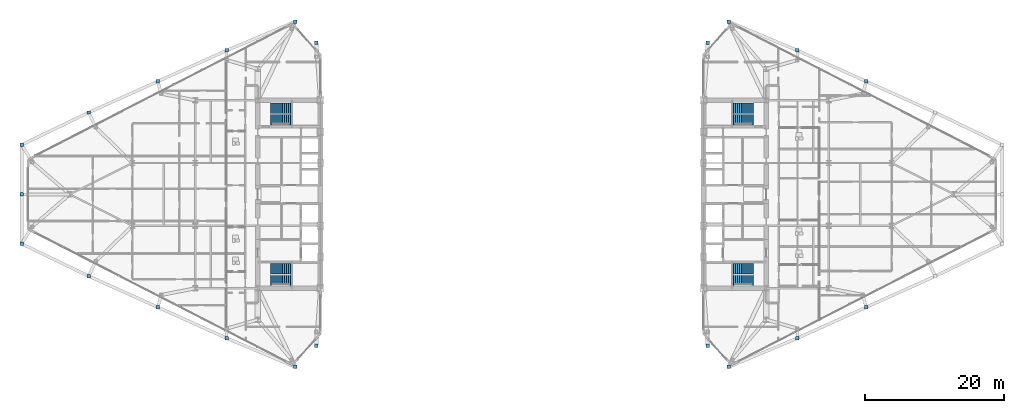
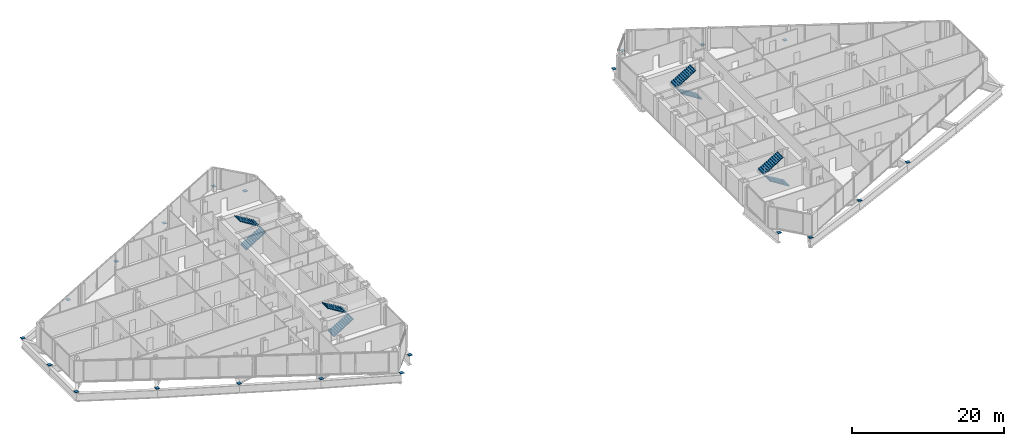
# One storey, part 25 of 28: 21 discrete accessories, 8 stair flights, 4 elements without a shape of their own.
"""IFC4 building model written with IfcOpenShell, lengths in metres."""

from ifc_helpers import new_model, si_unit, direction, frame, origin, origin_2d, place, context, subcontext, project, spatial, polyline, rectangle, outline, extrude, source, transform, mapped, material, type_object, type_shapes, element, aggregate, save


model = new_model("IFC4")

# Units and contexts
model_context = context("Model", 3, precision=1e-05, world=origin(), true_north=direction((0.0, 1.0)))
body_context = subcontext(model_context, "Body", "Model", "MODEL_VIEW")
ifc_project = project(units=[si_unit("LENGTHUNIT", "METRE"), si_unit("AREAUNIT", "SQUARE_METRE"), si_unit("VOLUMEUNIT", "CUBIC_METRE"), si_unit("PLANEANGLEUNIT", "RADIAN"), si_unit("MASSUNIT", "GRAM", prefix="KILO")], contexts=[model_context])

# Site, building, storey
site_placement = place(None, origin())
site = spatial("IfcSite", under=ifc_project, at=site_placement, CompositionType="ELEMENT")
building_placement = place(site_placement, origin())
building = spatial("IfcBuilding", under=site, at=building_placement, Name="Seokmaru Belvedere", CompositionType="ELEMENT")
storey_placement = place(building_placement, frame((0.0, 0.0, 110.39990234375)))
storey = spatial("IfcBuildingStorey", under=building, at=storey_placement, Name="L29", CompositionType="ELEMENT", Elevation=110.39990234375)

# Stair, stair flights
ifc_material_1 = material(Name="Concrete C40 (40 MPa)", Category="concrete")
stair_type = type_object("IfcStairType", Name="Typical Tower Core Dog-Leg Stair 3600", PredefinedType="TWO_STRAIGHT_RUN_STAIR", material=ifc_material_1)
stair_1_placement = place(storey_placement, origin())
stair_1 = element("IfcStair", 1, at=stair_1_placement, inside=storey, type_object=stair_type, Name="L29 Special Escape Stair ST-W1", PredefinedType="TWO_STRAIGHT_RUN_STAIR")
stair_flight_type = type_object("IfcStairFlightType", Name="Reinforced Concrete Stair Flight 1500", PredefinedType="STRAIGHT", material=ifc_material_1)
stair_flight_1_placement = place(storey_placement, frame((-34.60009765625, -12.35009765625, 0.0), z_axis=(0.0, 0.0, 1.0), x_axis=(1.0, 0.0, 0.0)))
stair_flight_1 = element("IfcStairFlight", 2, at=stair_flight_1_placement, type_object=stair_flight_type, Name="ST-W1 flight 1", NumberOfRisers=11, NumberOfTreads=10, PredefinedType="STRAIGHT", RiserHeight=0.163636364, TreadLength=0.28, context=body_context, shape_type="SweptSolid", body=[
    extrude(outline(polyline([(-0.080078125, 0.0), (0.0, 0.16357421875), (0.280029296875, 0.16357421875), (0.280029296875, 0.327392578125), (0.56005859375, 0.327392578125), (0.56005859375, 0.490966796875), (0.840087890625, 0.490966796875), (0.840087890625, 0.654541015625), (1.1201171875, 0.654541015625), (1.1201171875, 0.818115234375), (1.39990234375, 0.818115234375), (1.39990234375, 0.98193359375), (1.679931640625, 0.98193359375), (1.679931640625, 1.1455078125), (1.9599609375, 1.1455078125), (1.9599609375, 1.30908203125), (2.239990234375, 1.30908203125), (2.239990234375, 1.47265625), (2.52001953125, 1.47265625), (2.52001953125, 1.636474609375), (2.800048828125, 1.636474609375), (2.800048828125, 1.800048828125), (2.8798828125, 1.800048828125), (2.8798828125, 1.610107421875), (2.800048828125, 1.610107421875), (0.0, -0.159912109375), (-0.080078125, -0.159912109375), (-0.080078125, 0.0)])), frame((0.0, 0.75, 0.0), z_axis=(0.0, -1.0, 0.0), x_axis=(1.0, 0.0, 0.0)), (0.0, 0.0, 1.0), 1.5),
])
stair_flight_2_placement = place(storey_placement, frame((-31.800048828125, -10.7099609375, 1.800048828125), z_axis=(0.0, 0.0, 1.0), x_axis=(-1.0, 0.0, 0.0)))
stair_flight_2 = element("IfcStairFlight", 3, at=stair_flight_2_placement, type_object=stair_flight_type, Name="ST-W1 flight 2", NumberOfRisers=11, NumberOfTreads=10, PredefinedType="STRAIGHT", RiserHeight=0.163636364, TreadLength=0.28, context=body_context, shape_type="SweptSolid", body=[
    extrude(outline(polyline([(-0.080078125, 0.0), (0.0, 0.16357421875), (0.280029296875, 0.16357421875), (0.280029296875, 0.327392578125), (0.56005859375, 0.327392578125), (0.56005859375, 0.490966796875), (0.840087890625, 0.490966796875), (0.840087890625, 0.654541015625), (1.1201171875, 0.654541015625), (1.1201171875, 0.818115234375), (1.39990234375, 0.818115234375), (1.39990234375, 0.98193359375), (1.679931640625, 0.98193359375), (1.679931640625, 1.1455078125), (1.9599609375, 1.1455078125), (1.9599609375, 1.30908203125), (2.239990234375, 1.30908203125), (2.239990234375, 1.47265625), (2.52001953125, 1.47265625), (2.52001953125, 1.636474609375), (2.800048828125, 1.636474609375), (2.800048828125, 1.800048828125), (2.8798828125, 1.800048828125), (2.8798828125, 1.610107421875), (2.800048828125, 1.610107421875), (0.0, -0.159912109375), (-0.080078125, -0.159912109375), (-0.080078125, 0.0)])), frame((0.0, 0.75, 0.0), z_axis=(0.0, -1.0, 0.0), x_axis=(1.0, 0.0, 0.0)), (0.0, 0.0, 1.0), 1.5),
])
aggregate(stair_1, [stair_flight_1, stair_flight_2])

stair_2_placement = place(storey_placement, origin())
stair_2 = element("IfcStair", 4, at=stair_2_placement, inside=storey, type_object=stair_type, Name="L29 Special Escape Stair ST-W2", PredefinedType="TWO_STRAIGHT_RUN_STAIR")
stair_flight_3_placement = place(storey_placement, frame((-34.60009765625, 10.7099609375, 0.0), z_axis=(0.0, 0.0, 1.0), x_axis=(1.0, 0.0, 0.0)))
stair_flight_3 = element("IfcStairFlight", 5, at=stair_flight_3_placement, type_object=stair_flight_type, Name="ST-W2 flight 1", NumberOfRisers=11, NumberOfTreads=10, PredefinedType="STRAIGHT", RiserHeight=0.163636364, TreadLength=0.28, context=body_context, shape_type="SweptSolid", body=[
    extrude(outline(polyline([(-0.080078125, 0.0), (0.0, 0.16357421875), (0.280029296875, 0.16357421875), (0.280029296875, 0.327392578125), (0.56005859375, 0.327392578125), (0.56005859375, 0.490966796875), (0.840087890625, 0.490966796875), (0.840087890625, 0.654541015625), (1.1201171875, 0.654541015625), (1.1201171875, 0.818115234375), (1.39990234375, 0.818115234375), (1.39990234375, 0.98193359375), (1.679931640625, 0.98193359375), (1.679931640625, 1.1455078125), (1.9599609375, 1.1455078125), (1.9599609375, 1.30908203125), (2.239990234375, 1.30908203125), (2.239990234375, 1.47265625), (2.52001953125, 1.47265625), (2.52001953125, 1.636474609375), (2.800048828125, 1.636474609375), (2.800048828125, 1.800048828125), (2.8798828125, 1.800048828125), (2.8798828125, 1.610107421875), (2.800048828125, 1.610107421875), (0.0, -0.159912109375), (-0.080078125, -0.159912109375), (-0.080078125, 0.0)])), frame((0.0, 0.75, 0.0), z_axis=(0.0, -1.0, 0.0), x_axis=(1.0, 0.0, 0.0)), (0.0, 0.0, 1.0), 1.5),
])
stair_flight_4_placement = place(storey_placement, frame((-31.800048828125, 12.35009765625, 1.800048828125), z_axis=(0.0, 0.0, 1.0), x_axis=(-1.0, 0.0, 0.0)))
stair_flight_4 = element("IfcStairFlight", 6, at=stair_flight_4_placement, type_object=stair_flight_type, Name="ST-W2 flight 2", NumberOfRisers=11, NumberOfTreads=10, PredefinedType="STRAIGHT", RiserHeight=0.163636364, TreadLength=0.28, context=body_context, shape_type="SweptSolid", body=[
    extrude(outline(polyline([(-0.080078125, 0.0), (0.0, 0.16357421875), (0.280029296875, 0.16357421875), (0.280029296875, 0.327392578125), (0.56005859375, 0.327392578125), (0.56005859375, 0.490966796875), (0.840087890625, 0.490966796875), (0.840087890625, 0.654541015625), (1.1201171875, 0.654541015625), (1.1201171875, 0.818115234375), (1.39990234375, 0.818115234375), (1.39990234375, 0.98193359375), (1.679931640625, 0.98193359375), (1.679931640625, 1.1455078125), (1.9599609375, 1.1455078125), (1.9599609375, 1.30908203125), (2.239990234375, 1.30908203125), (2.239990234375, 1.47265625), (2.52001953125, 1.47265625), (2.52001953125, 1.636474609375), (2.800048828125, 1.636474609375), (2.800048828125, 1.800048828125), (2.8798828125, 1.800048828125), (2.8798828125, 1.610107421875), (2.800048828125, 1.610107421875), (0.0, -0.159912109375), (-0.080078125, -0.159912109375), (-0.080078125, 0.0)])), frame((0.0, 0.75, 0.0), z_axis=(0.0, -1.0, 0.0), x_axis=(1.0, 0.0, 0.0)), (0.0, 0.0, 1.0), 1.5),
])
aggregate(stair_2, [stair_flight_3, stair_flight_4])

stair_3_placement = place(storey_placement, origin())
stair_3 = element("IfcStair", 7, at=stair_3_placement, inside=storey, type_object=stair_type, Name="L29 Special Escape Stair ST-E1", PredefinedType="TWO_STRAIGHT_RUN_STAIR")
stair_flight_5_placement = place(storey_placement, frame((34.60009765625, -12.35009765625, 0.0), z_axis=(0.0, 0.0, 1.0), x_axis=(-1.0, 0.0, 0.0)))
stair_flight_5 = element("IfcStairFlight", 8, at=stair_flight_5_placement, type_object=stair_flight_type, Name="ST-E1 flight 1", NumberOfRisers=11, NumberOfTreads=10, PredefinedType="STRAIGHT", RiserHeight=0.163636364, TreadLength=0.28, context=body_context, shape_type="SweptSolid", body=[
    extrude(outline(polyline([(-0.080078125, 0.0), (0.0, 0.16357421875), (0.280029296875, 0.16357421875), (0.280029296875, 0.327392578125), (0.56005859375, 0.327392578125), (0.56005859375, 0.490966796875), (0.840087890625, 0.490966796875), (0.840087890625, 0.654541015625), (1.1201171875, 0.654541015625), (1.1201171875, 0.818115234375), (1.39990234375, 0.818115234375), (1.39990234375, 0.98193359375), (1.679931640625, 0.98193359375), (1.679931640625, 1.1455078125), (1.9599609375, 1.1455078125), (1.9599609375, 1.30908203125), (2.239990234375, 1.30908203125), (2.239990234375, 1.47265625), (2.52001953125, 1.47265625), (2.52001953125, 1.636474609375), (2.800048828125, 1.636474609375), (2.800048828125, 1.800048828125), (2.8798828125, 1.800048828125), (2.8798828125, 1.610107421875), (2.800048828125, 1.610107421875), (0.0, -0.159912109375), (-0.080078125, -0.159912109375), (-0.080078125, 0.0)])), frame((0.0, 0.75, 0.0), z_axis=(0.0, -1.0, 0.0), x_axis=(1.0, 0.0, 0.0)), (0.0, 0.0, 1.0), 1.5),
])
stair_flight_6_placement = place(storey_placement, frame((31.800048828125, -10.7099609375, 1.800048828125), z_axis=(0.0, 0.0, 1.0), x_axis=(1.0, 0.0, 0.0)))
stair_flight_6 = element("IfcStairFlight", 9, at=stair_flight_6_placement, type_object=stair_flight_type, Name="ST-E1 flight 2", NumberOfRisers=11, NumberOfTreads=10, PredefinedType="STRAIGHT", RiserHeight=0.163636364, TreadLength=0.28, context=body_context, shape_type="SweptSolid", body=[
    extrude(outline(polyline([(-0.080078125, 0.0), (0.0, 0.16357421875), (0.280029296875, 0.16357421875), (0.280029296875, 0.327392578125), (0.56005859375, 0.327392578125), (0.56005859375, 0.490966796875), (0.840087890625, 0.490966796875), (0.840087890625, 0.654541015625), (1.1201171875, 0.654541015625), (1.1201171875, 0.818115234375), (1.39990234375, 0.818115234375), (1.39990234375, 0.98193359375), (1.679931640625, 0.98193359375), (1.679931640625, 1.1455078125), (1.9599609375, 1.1455078125), (1.9599609375, 1.30908203125), (2.239990234375, 1.30908203125), (2.239990234375, 1.47265625), (2.52001953125, 1.47265625), (2.52001953125, 1.636474609375), (2.800048828125, 1.636474609375), (2.800048828125, 1.800048828125), (2.8798828125, 1.800048828125), (2.8798828125, 1.610107421875), (2.800048828125, 1.610107421875), (0.0, -0.159912109375), (-0.080078125, -0.159912109375), (-0.080078125, 0.0)])), frame((0.0, 0.75, 0.0), z_axis=(0.0, -1.0, 0.0), x_axis=(1.0, 0.0, 0.0)), (0.0, 0.0, 1.0), 1.5),
])
aggregate(stair_3, [stair_flight_5, stair_flight_6])

stair_4_placement = place(storey_placement, origin())
stair_4 = element("IfcStair", 10, at=stair_4_placement, inside=storey, type_object=stair_type, Name="L29 Special Escape Stair ST-E2", PredefinedType="TWO_STRAIGHT_RUN_STAIR")
stair_flight_7_placement = place(storey_placement, frame((34.60009765625, 10.7099609375, 0.0), z_axis=(0.0, 0.0, 1.0), x_axis=(-1.0, 0.0, 0.0)))
stair_flight_7 = element("IfcStairFlight", 11, at=stair_flight_7_placement, type_object=stair_flight_type, Name="ST-E2 flight 1", NumberOfRisers=11, NumberOfTreads=10, PredefinedType="STRAIGHT", RiserHeight=0.163636364, TreadLength=0.28, context=body_context, shape_type="SweptSolid", body=[
    extrude(outline(polyline([(-0.080078125, 0.0), (0.0, 0.16357421875), (0.280029296875, 0.16357421875), (0.280029296875, 0.327392578125), (0.56005859375, 0.327392578125), (0.56005859375, 0.490966796875), (0.840087890625, 0.490966796875), (0.840087890625, 0.654541015625), (1.1201171875, 0.654541015625), (1.1201171875, 0.818115234375), (1.39990234375, 0.818115234375), (1.39990234375, 0.98193359375), (1.679931640625, 0.98193359375), (1.679931640625, 1.1455078125), (1.9599609375, 1.1455078125), (1.9599609375, 1.30908203125), (2.239990234375, 1.30908203125), (2.239990234375, 1.47265625), (2.52001953125, 1.47265625), (2.52001953125, 1.636474609375), (2.800048828125, 1.636474609375), (2.800048828125, 1.800048828125), (2.8798828125, 1.800048828125), (2.8798828125, 1.610107421875), (2.800048828125, 1.610107421875), (0.0, -0.159912109375), (-0.080078125, -0.159912109375), (-0.080078125, 0.0)])), frame((0.0, 0.75, 0.0), z_axis=(0.0, -1.0, 0.0), x_axis=(1.0, 0.0, 0.0)), (0.0, 0.0, 1.0), 1.5),
])
stair_flight_8_placement = place(storey_placement, frame((31.800048828125, 12.35009765625, 1.800048828125), z_axis=(0.0, 0.0, 1.0), x_axis=(1.0, 0.0, 0.0)))
stair_flight_8 = element("IfcStairFlight", 12, at=stair_flight_8_placement, type_object=stair_flight_type, Name="ST-E2 flight 2", NumberOfRisers=11, NumberOfTreads=10, PredefinedType="STRAIGHT", RiserHeight=0.163636364, TreadLength=0.28, context=body_context, shape_type="SweptSolid", body=[
    extrude(outline(polyline([(-0.080078125, 0.0), (0.0, 0.16357421875), (0.280029296875, 0.16357421875), (0.280029296875, 0.327392578125), (0.56005859375, 0.327392578125), (0.56005859375, 0.490966796875), (0.840087890625, 0.490966796875), (0.840087890625, 0.654541015625), (1.1201171875, 0.654541015625), (1.1201171875, 0.818115234375), (1.39990234375, 0.818115234375), (1.39990234375, 0.98193359375), (1.679931640625, 0.98193359375), (1.679931640625, 1.1455078125), (1.9599609375, 1.1455078125), (1.9599609375, 1.30908203125), (2.239990234375, 1.30908203125), (2.239990234375, 1.47265625), (2.52001953125, 1.47265625), (2.52001953125, 1.636474609375), (2.800048828125, 1.636474609375), (2.800048828125, 1.800048828125), (2.8798828125, 1.800048828125), (2.8798828125, 1.610107421875), (2.800048828125, 1.610107421875), (0.0, -0.159912109375), (-0.080078125, -0.159912109375), (-0.080078125, 0.0)])), frame((0.0, 0.75, 0.0), z_axis=(0.0, -1.0, 0.0), x_axis=(1.0, 0.0, 0.0)), (0.0, 0.0, 1.0), 1.5),
])
aggregate(stair_4, [stair_flight_7, stair_flight_8])

# Discrete accessories
ifc_material_2 = material(Name="Steel SM355 (355 MPa)", Category="steel")
discrete_accessory_type = type_object("IfcDiscreteAccessoryType", Name="End Cap Plate HSS-500x500x20", PredefinedType="USERDEFINED", material=ifc_material_2)
shared_shape = source(origin(), body_context, "Body", "SweptSolid", [
    extrude(rectangle(XDim=0.5, YDim=0.5, at=origin_2d()), origin(), (0.0, 0.0, 1.0), 0.02001953125),
])
type_shapes(discrete_accessory_type, [shared_shape])
for number, where, z_axis, x_axis, name in (
    (13, (-28.10009765625, -21.75146484375, 0.0), (0.0, 0.0, 1.0), (1.0, 0.0, 0.0), "L28 Column WF1 End Cap Plate Top"),
    (14, (-28.10009765625, 21.75146484375, 0.0), (0.0, 0.0, 1.0), (1.0, 0.0, 0.0), "L28 Column WF2 End Cap Plate Top"),
    (15, (-31.13134765625, 24.782958984375, 0.0), (0.0, 0.0, 1.0), (1.0, 0.0, 0.0), "L28 Column WF3 End Cap Plate Top"),
    (16, (-70.39990234375, 7.112060546875, 0.0), (0.0, 0.0, 1.0), (1.0, 0.0, 0.0), "L28 Column WF4 End Cap Plate Top"),
    (17, (-70.39990234375, -7.112060546875, 0.0), (0.0, 0.0, 1.0), (1.0, 0.0, 0.0), "L28 Column WF5 End Cap Plate Top"),
    (18, (-31.13134765625, -24.782958984375, 0.0), (0.0, 0.0, 1.0), (1.0, 0.0, 0.0), "L28 Column WF6 End Cap Plate Top"),
    (19, (-40.97265625, -20.661376953125, 0.0), (0.0, 0.0, 1.0), (1.0, 0.0, 0.0), "L28 Column WFLK_S1 End Cap Plate Top"),
    (20, (-50.875, -16.205322265625, 0.0), (0.0, 0.0, 1.0), (1.0, 0.0, 0.0), "L28 Column WFLK_S2 End Cap Plate Top"),
    (21, (-60.777587890625, -11.749267578125, 0.0), (0.0, 0.0, 1.0), (1.0, 0.0, 0.0), "L28 Column WFLK_S3 End Cap Plate Top"),
    (22, (-40.97265625, 20.661376953125, 0.0), (0.0, 0.0, 1.0), (1.0, 0.0, 0.0), "L28 Column WFLK_N1 End Cap Plate Top"),
    (23, (-50.875, 16.205322265625, 0.0), (0.0, 0.0, 1.0), (1.0, 0.0, 0.0), "L28 Column WFLK_N2 End Cap Plate Top"),
    (24, (-60.777587890625, 11.749267578125, 0.0), (0.0, 0.0, 1.0), (1.0, 0.0, 0.0), "L28 Column WFLK_N3 End Cap Plate Top"),
    (25, (-70.39990234375, 0.0, 0.0), (0.0, 0.0, 1.0), (1.0, 0.0, 0.0), "L28 Column WF_APXM End Cap Plate Top"),
    (26, (31.13134765625, -24.782958984375, 0.0), (0.0, 0.0, 1.0), (1.0, 0.0, 0.0), "L28 Column EF1 End Cap Plate Top"),
    (27, (31.13134765625, 24.782958984375, 0.0), (0.0, 0.0, 1.0), (1.0, 0.0, 0.0), "L28 Column EF4 End Cap Plate Top"),
    (28, (28.10009765625, 21.75146484375, 0.0), (0.0, 0.0, 1.0), (1.0, 0.0, 0.0), "L28 Column EF5 End Cap Plate Top"),
    (29, (28.10009765625, -21.75146484375, 0.0), (0.0, 0.0, 1.0), (1.0, 0.0, 0.0), "L28 Column EF6 End Cap Plate Top"),
    (30, (40.97265625, -20.661376953125, 0.0), (0.0, 0.0, 1.0), (1.0, 0.0, 0.0), "L28 Column EFLK_S1 End Cap Plate Top"),
    (31, (50.875, -16.205322265625, 0.0), (0.0, 0.0, 1.0), (1.0, 0.0, 0.0), "L28 Column EFLK_S2 End Cap Plate Top"),
    (32, (40.97265625, 20.661376953125, 0.0), (0.0, 0.0, 1.0), (1.0, 0.0, 0.0), "L28 Column EFLK_N1 End Cap Plate Top"),
    (33, (50.875, 16.205322265625, 0.0), (0.0, 0.0, 1.0), (1.0, 0.0, 0.0), "L28 Column EFLK_N2 End Cap Plate Top"),
):
    element("IfcDiscreteAccessory", number, at=place(storey_placement, frame(where, z_axis=z_axis, x_axis=x_axis)), inside=storey, type_object=discrete_accessory_type, Name=name, ObjectType="END_CAP_PLATE", PredefinedType="USERDEFINED", context=body_context, shape_type="MappedRepresentation", body=[
        mapped(shared_shape, transform((0.0, 0.0, 0.0), scale=1.0)),
    ])

save(model, "model.ifc")
